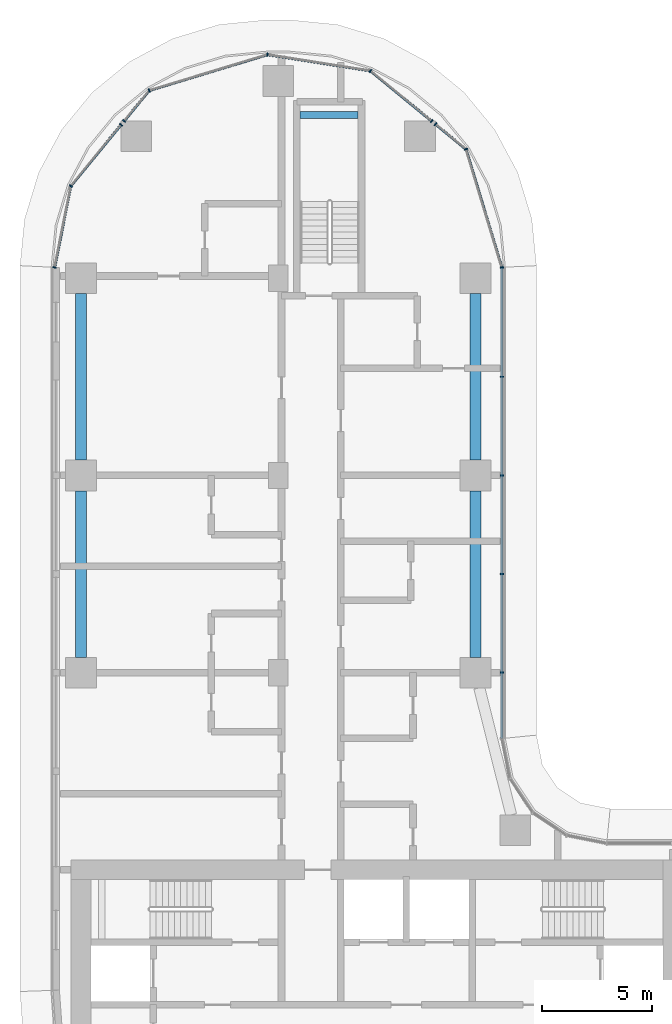
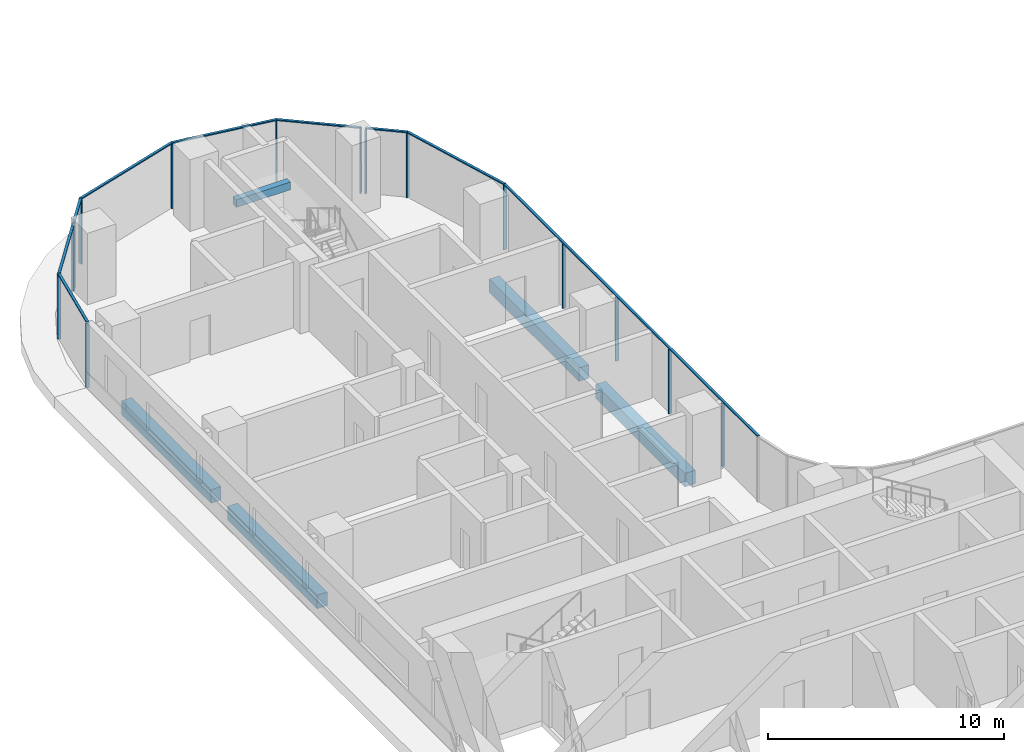
# One storey, part 6 of 39: 24 members, 5 beams, 4 elements without a shape of their own.
"""IFC4 building model written with IfcOpenShell, lengths in metres."""

from ifc_helpers import new_model, si_unit, direction, frame, origin, origin_2d, place, context, subcontext, project, spatial, rectangle, extrude, material, material_profile, profile_set, type_object, element, aggregate, save


model = new_model("IFC4")

# Units and contexts
model_context = context("Model", 3, precision=1e-05, world=origin(), true_north=direction((0.0, 1.0)))
body_context = subcontext(model_context, "Body", "Model", "MODEL_VIEW")
ifc_project = project(units=[si_unit("LENGTHUNIT", "METRE"), si_unit("AREAUNIT", "SQUARE_METRE"), si_unit("VOLUMEUNIT", "CUBIC_METRE"), si_unit("PLANEANGLEUNIT", "RADIAN"), si_unit("MASSUNIT", "GRAM", prefix="KILO")], contexts=[model_context])

# Site, building, storey
site_placement = place(None, origin())
site = spatial("IfcSite", under=ifc_project, at=site_placement, CompositionType="ELEMENT")
building_placement = place(site_placement, origin())
building = spatial("IfcBuilding", under=site, at=building_placement, Name="Ogive Portal Towers", CompositionType="ELEMENT")
storey_placement = place(building_placement, frame((0.0, 0.0, 44.60009765625)))
storey = spatial("IfcBuildingStorey", under=building, at=storey_placement, Name="L09", CompositionType="ELEMENT", Elevation=44.60009765625)

# Beam
ifc_material_1 = material(Name="Concrete C40/50", Category="concrete")
ifc_material_profile_1 = material_profile(ifc_material_1, rectangle(XDim=0.300048828125, YDim=0.39990234375, at=origin_2d()), Name="RC 300x400")
ifc_profile_set_1 = profile_set([ifc_material_profile_1], Name="Concrete C40/50")
beam_type_1 = type_object("IfcBeamType", Name="BEAM RC 300x400", PredefinedType="BEAM", material=ifc_profile_set_1)
beam_placement = place(storey_placement, frame((41.5, 73.949951171875, 1.449951171875), z_axis=(1.0, 0.0, 0.0), x_axis=(0.0, 1.0, 0.0)))
element("IfcBeam", 1, at=beam_placement, inside=storey, type_object=beam_type_1, Name="Landing beam L09", PredefinedType="BEAM", context=body_context, shape_type="SweptSolid", body=[
    extrude(rectangle(XDim=0.300048828125, YDim=0.39990234375, at=origin_2d()), origin(), (0.0, 0.0, 1.0), 2.64990234375),
])

# Curtain wall, members
ifc_material_2 = material(Name="Glass, clear low-iron insulated glazing", Category="glass")
curtain_wall_type = type_object("IfcCurtainWallType", Name="CW FRONT RIBBON 4500", PredefinedType="NOTDEFINED", material=ifc_material_2)
curtain_wall_1_placement = place(storey_placement, origin())
curtain_wall_1 = element("IfcCurtainWall", 2, at=curtain_wall_1_placement, inside=storey, type_object=curtain_wall_type, Name="A:L09:f16:cw0", PredefinedType="NOTDEFINED")
ifc_material_3 = material(Name="Aluminium 6063 anodised", Category="aluminium")
ifc_material_profile_2 = material_profile(ifc_material_3, rectangle(XDim=0.159912109375, YDim=0.06005859375, at=origin_2d()), Name="AL 60x160")
ifc_profile_set_2 = profile_set([ifc_material_profile_2], Name="Aluminium 6063 anodised")
member_type_1 = type_object("IfcMemberType", Name="CW MULLION 60x160", PredefinedType="MULLION", material=ifc_profile_set_2)
member_1_placement = place(storey_placement, frame((50.705078125, 48.5, 0.0), z_axis=(0.0, 0.0, 1.0), x_axis=(-1.0, 0.0, 0.0)))
member_1 = element("IfcMember", 3, at=member_1_placement, type_object=member_type_1, Name="mullion", PredefinedType="MULLION", context=body_context, shape_type="SweptSolid", body=[
    extrude(rectangle(XDim=0.159912109375, YDim=0.06005859375, at=origin_2d()), origin(), (0.0, 0.0, 1.0), 3.33984375),
])
member_2_placement = place(storey_placement, frame((50.705078125, 53.0, 0.0), z_axis=(0.0, 0.0, 1.0), x_axis=(-1.0, 0.0, 0.0)))
member_2 = element("IfcMember", 4, at=member_2_placement, type_object=member_type_1, Name="mullion", PredefinedType="MULLION", context=body_context, shape_type="SweptSolid", body=[
    extrude(rectangle(XDim=0.159912109375, YDim=0.06005859375, at=origin_2d()), origin(), (0.0, 0.0, 1.0), 3.33984375),
])
member_3_placement = place(storey_placement, frame((50.705078125, 57.5, 0.0), z_axis=(0.0, 0.0, 1.0), x_axis=(-1.0, 0.0, 0.0)))
member_3 = element("IfcMember", 5, at=member_3_placement, type_object=member_type_1, Name="mullion", PredefinedType="MULLION", context=body_context, shape_type="SweptSolid", body=[
    extrude(rectangle(XDim=0.159912109375, YDim=0.06005859375, at=origin_2d()), origin(), (0.0, 0.0, 1.0), 3.33984375),
])
member_4_placement = place(storey_placement, frame((50.705078125, 62.0, 0.0), z_axis=(0.0, 0.0, 1.0), x_axis=(-1.0, 0.0, 0.0)))
member_4 = element("IfcMember", 6, at=member_4_placement, type_object=member_type_1, Name="mullion", PredefinedType="MULLION", context=body_context, shape_type="SweptSolid", body=[
    extrude(rectangle(XDim=0.159912109375, YDim=0.06005859375, at=origin_2d()), origin(), (0.0, 0.0, 1.0), 3.33984375),
])
member_5_placement = place(storey_placement, frame((50.705078125, 66.988037109375, 0.0), z_axis=(0.0, 0.0, 1.0), x_axis=(-1.0, 0.0, 0.0)))
member_5 = element("IfcMember", 7, at=member_5_placement, type_object=member_type_1, Name="mullion", PredefinedType="MULLION", context=body_context, shape_type="SweptSolid", body=[
    extrude(rectangle(XDim=0.159912109375, YDim=0.06005859375, at=origin_2d()), origin(), (0.0, 0.0, 1.0), 3.33984375),
])

curtain_wall_2_placement = place(storey_placement, origin())
curtain_wall_2 = element("IfcCurtainWall", 8, at=curtain_wall_2_placement, inside=storey, type_object=curtain_wall_type, Name="A:L09:f17:cwa~0", PredefinedType="NOTDEFINED")
member_6_placement = place(storey_placement, frame((49.06640625, 72.389892578125, 0.0), z_axis=(0.0, 0.0, 1.0), x_axis=(-0.956940335732, -0.290284677254, 0.0)))
member_6 = element("IfcMember", 9, at=member_6_placement, type_object=member_type_1, Name="mullion", PredefinedType="MULLION", context=body_context, shape_type="SweptSolid", body=[
    extrude(rectangle(XDim=0.159912109375, YDim=0.06005859375, at=origin_2d()), origin(), (0.0, 0.0, 1.0), 3.33984375),
])
member_7_placement = place(storey_placement, frame((47.673095703125, 73.533447265625, 0.0), z_axis=(0.0, 0.0, 1.0), x_axis=(-0.634393284164, -0.773010453363, 0.0)))
member_7 = element("IfcMember", 10, at=member_7_placement, type_object=member_type_1, Name="mullion", PredefinedType="MULLION", context=body_context, shape_type="SweptSolid", body=[
    extrude(rectangle(XDim=0.159912109375, YDim=0.06005859375, at=origin_2d()), origin(), (0.0, 0.0, 1.0), 3.33984375),
])

curtain_wall_3_placement = place(storey_placement, origin())
curtain_wall_3 = element("IfcCurtainWall", 11, at=curtain_wall_3_placement, inside=storey, type_object=curtain_wall_type, Name="A:L09:f17:cwa~1", PredefinedType="NOTDEFINED")
member_8_placement = place(storey_placement, frame((47.5029296875, 73.673095703125, 0.0), z_axis=(0.0, 0.0, 1.0), x_axis=(-0.634393284164, -0.773010453363, 0.0)))
member_8 = element("IfcMember", 12, at=member_8_placement, type_object=member_type_1, Name="mullion", PredefinedType="MULLION", context=body_context, shape_type="SweptSolid", body=[
    extrude(rectangle(XDim=0.159912109375, YDim=0.06005859375, at=origin_2d()), origin(), (0.0, 0.0, 1.0), 3.33984375),
])
member_9_placement = place(storey_placement, frame((44.710693359375, 75.964599609375, 0.0), z_axis=(0.0, 0.0, 1.0), x_axis=(-0.634393284164, -0.773010453363, 0.0)))
member_9 = element("IfcMember", 13, at=member_9_placement, type_object=member_type_1, Name="mullion", PredefinedType="MULLION", context=body_context, shape_type="SweptSolid", body=[
    extrude(rectangle(XDim=0.159912109375, YDim=0.06005859375, at=origin_2d()), origin(), (0.0, 0.0, 1.0), 3.33984375),
])
member_10_placement = place(storey_placement, frame((40.005615234375, 76.703125, 0.0), z_axis=(0.0, 0.0, 1.0), x_axis=(-0.15508857602, -0.987900568675, 0.0)))
member_10 = element("IfcMember", 14, at=member_10_placement, type_object=member_type_1, Name="mullion", PredefinedType="MULLION", context=body_context, shape_type="SweptSolid", body=[
    extrude(rectangle(XDim=0.159912109375, YDim=0.06005859375, at=origin_2d()), origin(), (0.0, 0.0, 1.0), 3.33984375),
])
member_11_placement = place(storey_placement, frame((34.610107421875, 75.06640625, 0.0), z_axis=(0.0, 0.0, 1.0), x_axis=(0.290284677254, -0.956940335732, 0.0)))
member_11 = element("IfcMember", 15, at=member_11_placement, type_object=member_type_1, Name="mullion", PredefinedType="MULLION", context=body_context, shape_type="SweptSolid", body=[
    extrude(rectangle(XDim=0.159912109375, YDim=0.06005859375, at=origin_2d()), origin(), (0.0, 0.0, 1.0), 3.33984375),
])
member_12_placement = place(storey_placement, frame((33.466552734375, 73.673095703125, 0.0), z_axis=(0.0, 0.0, 1.0), x_axis=(0.773010453363, -0.634393284164, 0.0)))
member_12 = element("IfcMember", 16, at=member_12_placement, type_object=member_type_1, Name="mullion", PredefinedType="MULLION", context=body_context, shape_type="SweptSolid", body=[
    extrude(rectangle(XDim=0.159912109375, YDim=0.06005859375, at=origin_2d()), origin(), (0.0, 0.0, 1.0), 3.33984375),
])

curtain_wall_4_placement = place(storey_placement, origin())
curtain_wall_4 = element("IfcCurtainWall", 17, at=curtain_wall_4_placement, inside=storey, type_object=curtain_wall_type, Name="A:L09:f17:cwa~2", PredefinedType="NOTDEFINED")
member_13_placement = place(storey_placement, frame((33.326904296875, 73.5029296875, 0.0), z_axis=(0.0, 0.0, 1.0), x_axis=(0.773010453363, -0.634393284164, 0.0)))
member_13 = element("IfcMember", 18, at=member_13_placement, type_object=member_type_1, Name="mullion", PredefinedType="MULLION", context=body_context, shape_type="SweptSolid", body=[
    extrude(rectangle(XDim=0.159912109375, YDim=0.06005859375, at=origin_2d()), origin(), (0.0, 0.0, 1.0), 3.33984375),
])
member_14_placement = place(storey_placement, frame((31.034423828125, 70.709228515625, 0.0), z_axis=(0.0, 0.0, 1.0), x_axis=(0.773010453363, -0.634393284164, 0.0)))
member_14 = element("IfcMember", 19, at=member_14_placement, type_object=member_type_1, Name="mullion", PredefinedType="MULLION", context=body_context, shape_type="SweptSolid", body=[
    extrude(rectangle(XDim=0.159912109375, YDim=0.06005859375, at=origin_2d()), origin(), (0.0, 0.0, 1.0), 3.33984375),
])
member_15_placement = place(storey_placement, frame((30.294921875, 66.9921875, 0.0), z_axis=(0.0, 0.0, 1.0), x_axis=(0.980785280403, -0.195090322016, 0.0)))
member_15 = element("IfcMember", 20, at=member_15_placement, type_object=member_type_1, Name="mullion", PredefinedType="MULLION", context=body_context, shape_type="SweptSolid", body=[
    extrude(rectangle(XDim=0.159912109375, YDim=0.06005859375, at=origin_2d()), origin(), (0.0, 0.0, 1.0), 3.33984375),
])

# Member
ifc_material_profile_3 = material_profile(ifc_material_3, rectangle(XDim=0.1201171875, YDim=0.06005859375, at=origin_2d()), Name="AL 120x60")
ifc_profile_set_3 = profile_set([ifc_material_profile_3], Name="Aluminium 6063 anodised")
member_type_2 = type_object("IfcMemberType", Name="CW TRANSOM 60x120", PredefinedType="USERDEFINED", material=ifc_profile_set_3)
member_16_placement = place(storey_placement, frame((50.705078125, 45.4921875, 3.369873046875), z_axis=(0.0, 1.0, 0.0), x_axis=(-1.0, 0.0, 0.0)))
member_16 = element("IfcMember", 21, at=member_16_placement, type_object=member_type_2, Name="transom", ObjectType="TRANSOM", PredefinedType="USERDEFINED", context=body_context, shape_type="SweptSolid", body=[
    extrude(rectangle(XDim=0.1201171875, YDim=0.06005859375, at=origin_2d()), origin(), (0.0, 0.0, 1.0), 21.495849609375),
])

aggregate(curtain_wall_1, [member_16, member_1, member_2, member_3, member_4, member_5])

member_17_placement = place(storey_placement, frame((50.705078125, 66.988037109375, 3.369873046875), z_axis=(-0.290290668645, 0.956938518243, 0.0), x_axis=(-0.956938518243, -0.290290668645, 0.0)))
member_17 = element("IfcMember", 22, at=member_17_placement, type_object=member_type_2, Name="transom", ObjectType="TRANSOM", PredefinedType="USERDEFINED", context=body_context, shape_type="SweptSolid", body=[
    extrude(rectangle(XDim=0.1201171875, YDim=0.06005859375, at=origin_2d()), origin(), (0.0, 0.0, 1.0), 5.64501953125),
])

member_18_placement = place(storey_placement, frame((49.06640625, 72.389892578125, 3.369873046875), z_axis=(-0.772984804781, 0.634424535762, 0.0), x_axis=(-0.634424535762, -0.772984804781, 0.0)))
member_18 = element("IfcMember", 23, at=member_18_placement, type_object=member_type_2, Name="transom", ObjectType="TRANSOM", PredefinedType="USERDEFINED", context=body_context, shape_type="SweptSolid", body=[
    extrude(rectangle(XDim=0.1201171875, YDim=0.06005859375, at=origin_2d()), origin(), (0.0, 0.0, 1.0), 1.802490234375),
])

aggregate(curtain_wall_2, [member_17, member_18, member_6, member_7])

member_19_placement = place(storey_placement, frame((47.5029296875, 73.673095703125, 3.369873046875), z_axis=(-0.773013878256, 0.634389110896, 0.0), x_axis=(-0.634389110896, -0.773013878256, 0.0)))
member_19 = element("IfcMember", 24, at=member_19_placement, type_object=member_type_2, Name="transom", ObjectType="TRANSOM", PredefinedType="USERDEFINED", context=body_context, shape_type="SweptSolid", body=[
    extrude(rectangle(XDim=0.1201171875, YDim=0.06005859375, at=origin_2d()), origin(), (0.0, 0.0, 1.0), 3.612060546875),
])

member_20_placement = place(storey_placement, frame((44.710693359375, 75.964599609375, 3.369873046875), z_axis=(-0.987904287541, 0.155064885316, 0.0), x_axis=(-0.155064885316, -0.987904287541, 0.0)))
member_20 = element("IfcMember", 25, at=member_20_placement, type_object=member_type_2, Name="transom", ObjectType="TRANSOM", PredefinedType="USERDEFINED", context=body_context, shape_type="SweptSolid", body=[
    extrude(rectangle(XDim=0.1201171875, YDim=0.06005859375, at=origin_2d()), origin(), (0.0, 0.0, 1.0), 4.7626953125),
])

member_21_placement = place(storey_placement, frame((40.005615234375, 76.703125, 3.369873046875), z_axis=(-0.956939875143, -0.290286195609, 0.0), x_axis=(0.290286195609, -0.956939875143, 0.0)))
member_21 = element("IfcMember", 26, at=member_21_placement, type_object=member_type_2, Name="transom", ObjectType="TRANSOM", PredefinedType="USERDEFINED", context=body_context, shape_type="SweptSolid", body=[
    extrude(rectangle(XDim=0.1201171875, YDim=0.06005859375, at=origin_2d()), origin(), (0.0, 0.0, 1.0), 5.63818359375),
])

member_22_placement = place(storey_placement, frame((34.610107421875, 75.06640625, 3.369873046875), z_axis=(-0.634424535762, -0.772984804781, 0.0), x_axis=(0.772984804781, -0.634424535762, 0.0)))
member_22 = element("IfcMember", 27, at=member_22_placement, type_object=member_type_2, Name="transom", ObjectType="TRANSOM", PredefinedType="USERDEFINED", context=body_context, shape_type="SweptSolid", body=[
    extrude(rectangle(XDim=0.1201171875, YDim=0.06005859375, at=origin_2d()), origin(), (0.0, 0.0, 1.0), 1.802490234375),
])

aggregate(curtain_wall_3, [member_19, member_20, member_21, member_22, member_8, member_9, member_10, member_11, member_12])

member_23_placement = place(storey_placement, frame((33.326904296875, 73.5029296875, 3.369873046875), z_axis=(-0.63435180921, -0.773044489115, 0.0), x_axis=(0.773044489115, -0.63435180921, 0.0)))
member_23 = element("IfcMember", 28, at=member_23_placement, type_object=member_type_2, Name="transom", ObjectType="TRANSOM", PredefinedType="USERDEFINED", context=body_context, shape_type="SweptSolid", body=[
    extrude(rectangle(XDim=0.1201171875, YDim=0.06005859375, at=origin_2d()), origin(), (0.0, 0.0, 1.0), 3.614013671875),
])

member_24_placement = place(storey_placement, frame((31.034423828125, 70.709228515625, 3.369873046875), z_axis=(-0.195124974332, -0.980778386993, 0.0), x_axis=(0.980778386993, -0.195124974332, 0.0)))
member_24 = element("IfcMember", 29, at=member_24_placement, type_object=member_type_2, Name="transom", ObjectType="TRANSOM", PredefinedType="USERDEFINED", context=body_context, shape_type="SweptSolid", body=[
    extrude(rectangle(XDim=0.1201171875, YDim=0.06005859375, at=origin_2d()), origin(), (0.0, 0.0, 1.0), 3.789794921875),
])

aggregate(curtain_wall_4, [member_23, member_24, member_13, member_14, member_15])

# Beams
ifc_material_profile_4 = material_profile(ifc_material_1, rectangle(XDim=0.5, YDim=0.699951171875, at=origin_2d()), Name="RC 500x700")
ifc_profile_set_4 = profile_set([ifc_material_profile_4], Name="Concrete C40/50")
beam_type_2 = type_object("IfcBeamType", Name="SPANDREL BEAM RC 500x700", PredefinedType="BEAM", material=ifc_profile_set_4)
for number, where, z_axis, x_axis, name in (
    (30, (31.5, 49.199951171875, -0.650146484375), (0.0, 1.0, 0.0), (-1.0, 0.0, 0.0), "Spandrel beam L09"),
    (31, (31.5, 58.199951171875, -0.650146484375), (0.0, 1.0, 0.0), (-1.0, 0.0, 0.0), "Spandrel beam L09"),
    (32, (49.5, 65.800048828125, -0.650146484375), (0.0, -1.0, 0.0), (1.0, 0.0, 0.0), "Spandrel beam L09"),
    (33, (49.5, 56.800048828125, -0.650146484375), (0.0, -1.0, 0.0), (1.0, 0.0, 0.0), "Spandrel beam L09"),
):
    element("IfcBeam", number, at=place(storey_placement, frame(where, z_axis=z_axis, x_axis=x_axis)), inside=storey, type_object=beam_type_2, Name=name, PredefinedType="BEAM", context=body_context, shape_type="SweptSolid", body=[
        extrude(rectangle(XDim=0.5, YDim=0.699951171875, at=origin_2d()), origin(), (0.0, 0.0, 1.0), 7.60009765625),
    ])

save(model, "model.ifc")
